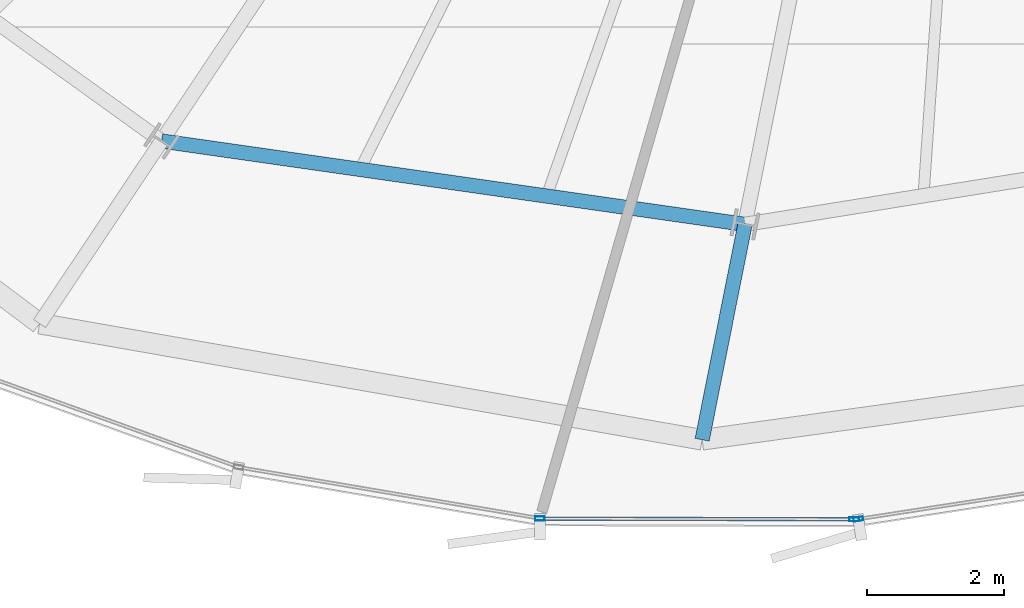
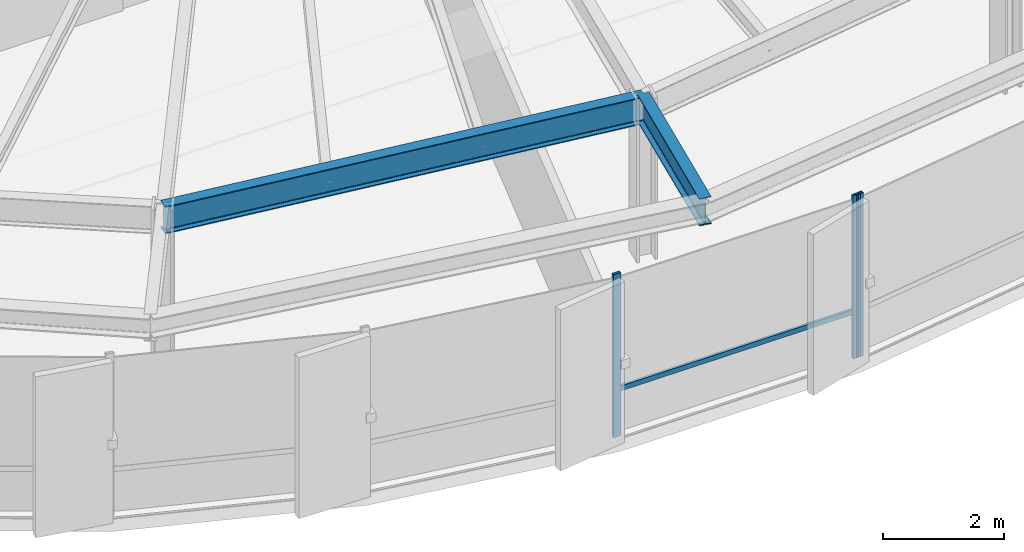
# One storey, part 5 of 34: 4 members, 2 beams, 2 elements without a shape of their own.
"""IFC4 building model written with IfcOpenShell, lengths in metres."""

from ifc_helpers import new_model, si_unit, direction, frame, origin, origin_2d, place, context, subcontext, project, spatial, hollow_rectangle, i_section, extrude, source, transform, mapped, material, layer, layer_set, material_profile, profile_set, type_object, element, aggregate, save


model = new_model("IFC4")

# Units and contexts
model_context = context("Model", 3, precision=1e-05, world=origin(), true_north=direction((0.0, 1.0)))
body_context = subcontext(model_context, "Body", "Model", "MODEL_VIEW")
ifc_project = project(units=[si_unit("LENGTHUNIT", "METRE"), si_unit("AREAUNIT", "SQUARE_METRE"), si_unit("VOLUMEUNIT", "CUBIC_METRE"), si_unit("PLANEANGLEUNIT", "RADIAN"), si_unit("MASSUNIT", "GRAM", prefix="KILO"), si_unit("THERMODYNAMICTEMPERATUREUNIT", "KELVIN")], contexts=[model_context])

# Site, building, storey
site_placement = place(None, origin())
site = spatial("IfcSite", under=ifc_project, at=site_placement, CompositionType="ELEMENT")
building_placement = place(site_placement, origin())
building = spatial("IfcBuilding", under=site, at=building_placement, Name="Kethvar Cultural Tower", CompositionType="ELEMENT")
storey_placement = place(building_placement, frame((0.0, 0.0, 153.64990234375)))
storey = spatial("IfcBuildingStorey", under=building, at=storey_placement, Name="L39", CompositionType="ELEMENT", Elevation=153.64990234375)

# Beams
ifc_material_1 = material(Name="Steel S355J2", Category="steel")
ifc_material_profile_1 = material_profile(ifc_material_1, i_section(OverallWidth=0.2099609375, OverallDepth=0.550048828125, WebThickness=0.010986328125, FlangeThickness=0.01708984375, FilletRadius=0.02392578125, at=origin_2d()), Name="Steel S355J2 — IPE550")
ifc_profile_set_1 = profile_set([ifc_material_profile_1], Name="Steel S355J2 — IPE550")
beam_type = type_object("IfcBeamType", Name="BM-IPE550", PredefinedType="BEAM", material=ifc_profile_set_1)
shared_shape_1 = source(origin(), body_context, "Body", "SweptSolid", [
    extrude(i_section(OverallWidth=0.2099609375, OverallDepth=0.550048828125, WebThickness=0.010986328125, FlangeThickness=0.01708984375, FilletRadius=0.02392578125, at=origin_2d()), origin(), (0.0, 0.0, 1.0), 3.2001953125),
])
beam_1_placement = place(storey_placement, frame((42.852294921875, 7.95361328125, 3.023193359375), z_axis=(-0.195074368086, -0.980788453702, 0.0), x_axis=(0.980788453702, -0.195074368086, 0.0)))
element("IfcBeam", 1, at=beam_1_placement, inside=storey, type_object=beam_type, Name="L39 Perimeter Cantilever Beam RC-12", PredefinedType="BEAM", context=body_context, shape_type="MappedRepresentation", body=[
    mapped(shared_shape_1, transform((0.0, 0.0, 0.0), scale=1.0)),
])
shared_shape_2 = source(origin(), body_context, "Body", "SweptSolid", [
    extrude(i_section(OverallWidth=0.2099609375, OverallDepth=0.550048828125, WebThickness=0.010986328125, FlangeThickness=0.01708984375, FilletRadius=0.02392578125, at=origin_2d()), origin(), (0.0, 0.0, 1.0), 8.587890625),
])
beam_2_placement = place(storey_placement, frame((34.350830078125, 9.16845703125, 3.023193359375), z_axis=(0.989943807123, -0.141461156288, 0.0), x_axis=(0.141461156288, 0.989943807123, 0.0)))
element("IfcBeam", 2, at=beam_2_placement, inside=storey, type_object=beam_type, Name="L39 Column Ring Tie Beam CR-11", PredefinedType="BEAM", context=body_context, shape_type="MappedRepresentation", body=[
    mapped(shared_shape_2, transform((0.0, 0.0, 0.0), scale=1.0)),
])

# Curtain wall, members
ifc_material_2 = material(Name="Aluminium 6063-T6", Category="aluminium")
ifc_layer = layer(ifc_material_2, 0.179931640625, Name="Aluminium 6063-T6", Category="aluminium")
ifc_layer_set = layer_set([ifc_layer], Name="Aluminium 6063-T6 (180 mm)")
curtain_wall_type = type_object("IfcCurtainWallType", Name="CW-SYS-04-Z34", PredefinedType="NOTDEFINED", material=ifc_layer_set)
curtain_wall_1_placement = place(storey_placement, origin())
curtain_wall_1 = element("IfcCurtainWall", 3, at=curtain_wall_1_placement, inside=storey, type_object=curtain_wall_type, Name="L39 Curtain Wall Run 04", PredefinedType="NOTDEFINED")
ifc_material_profile_2 = material_profile(ifc_material_2, hollow_rectangle(XDim=0.06005859375, YDim=0.139892578125, WallThickness=0.0048828125, at=origin_2d()), Name="Aluminium 6063-T6 — RHS140x60x5")
ifc_profile_set_2 = profile_set([ifc_material_profile_2], Name="Aluminium 6063-T6 — RHS140x60x5")
member_type_1 = type_object("IfcMemberType", Name="CW-SYS-04-Z34-MUL", PredefinedType="MULLION", material=ifc_profile_set_2)
shared_shape_3 = source(origin(), body_context, "Body", "SweptSolid", [
    extrude(hollow_rectangle(XDim=0.06005859375, YDim=0.139892578125, WallThickness=0.0048828125, at=origin_2d()), origin(), (0.0, 0.0, 1.0), 3.300048828125),
])
member_1_placement = place(storey_placement, frame((39.86376953125, 3.667236328125, 0.0), z_axis=(0.0, 0.0, 1.0), x_axis=(0.002722710269, 0.999996293418, 0.0)))
member_1 = element("IfcMember", 4, at=member_1_placement, type_object=member_type_1, Name="CW-L39-R04 Mullion 6", PredefinedType="MULLION", context=body_context, shape_type="MappedRepresentation", body=[
    mapped(shared_shape_3, transform((0.0, 0.0, 0.0), scale=1.0)),
])
member_2_placement = place(storey_placement, frame((44.444580078125, 3.65478515625, 0.0), z_axis=(0.0, 0.0, 1.0), x_axis=(0.002722710269, 0.999996293418, 0.0)))
member_2 = element("IfcMember", 5, at=member_2_placement, type_object=member_type_1, Name="CW-L39-R04 Mullion 7", PredefinedType="MULLION", context=body_context, shape_type="MappedRepresentation", body=[
    mapped(shared_shape_3, transform((0.0, 0.0, 0.0), scale=1.0)),
])

# Curtain wall, member
curtain_wall_2_placement = place(storey_placement, origin())
curtain_wall_2 = element("IfcCurtainWall", 6, at=curtain_wall_2_placement, inside=storey, type_object=curtain_wall_type, Name="L39 Curtain Wall Run 05", PredefinedType="NOTDEFINED")
member_3_placement = place(storey_placement, frame((44.5048828125, 3.6591796875, 0.0), z_axis=(0.0, 0.0, 1.0), x_axis=(-0.15264087019, 0.98828172337, 0.0)))
member_3 = element("IfcMember", 7, at=member_3_placement, type_object=member_type_1, Name="CW-L39-R05 Mullion 1", PredefinedType="MULLION", context=body_context, shape_type="MappedRepresentation", body=[
    mapped(shared_shape_3, transform((0.0, 0.0, 0.0), scale=1.0)),
])
aggregate(curtain_wall_2, [member_3])

# Member
ifc_material_profile_3 = material_profile(ifc_material_2, hollow_rectangle(XDim=0.050048828125, YDim=0.10009765625, WallThickness=0.00390625, at=origin_2d()), Name="Aluminium 6063-T6 — RHS100x50x4")
ifc_profile_set_3 = profile_set([ifc_material_profile_3], Name="Aluminium 6063-T6 — RHS100x50x4")
member_type_2 = type_object("IfcMemberType", Name="CW-SYS-04-Z34-TRN", PredefinedType="USERDEFINED", material=ifc_profile_set_3)
shared_shape_4 = source(origin(), body_context, "Body", "SweptSolid", [
    extrude(hollow_rectangle(XDim=0.050048828125, YDim=0.10009765625, WallThickness=0.00390625, at=origin_2d()), origin(), (0.0, 0.0, 1.0), 4.533203125),
])
member_4_placement = place(storey_placement, frame((39.906982421875, 3.6669921875, 0.9501953125), z_axis=(0.999996374421, -0.002692795063, 0.0), x_axis=(0.002692795063, 0.999996374421, 0.0)))
member_4 = element("IfcMember", 8, at=member_4_placement, type_object=member_type_2, Name="CW-L39-R04 Transom 6", ObjectType="TRANSOM", PredefinedType="USERDEFINED", context=body_context, shape_type="MappedRepresentation", body=[
    mapped(shared_shape_4, transform((0.0, 0.0, 0.0), scale=1.0)),
])

aggregate(curtain_wall_1, [member_1, member_2, member_4])

save(model, "model.ifc")
